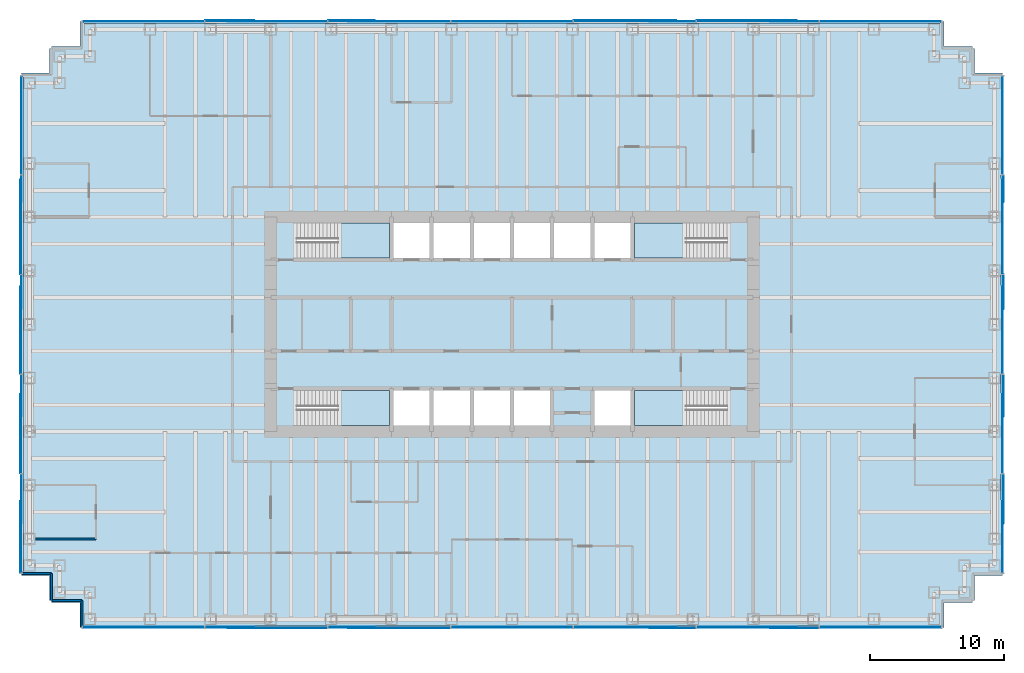
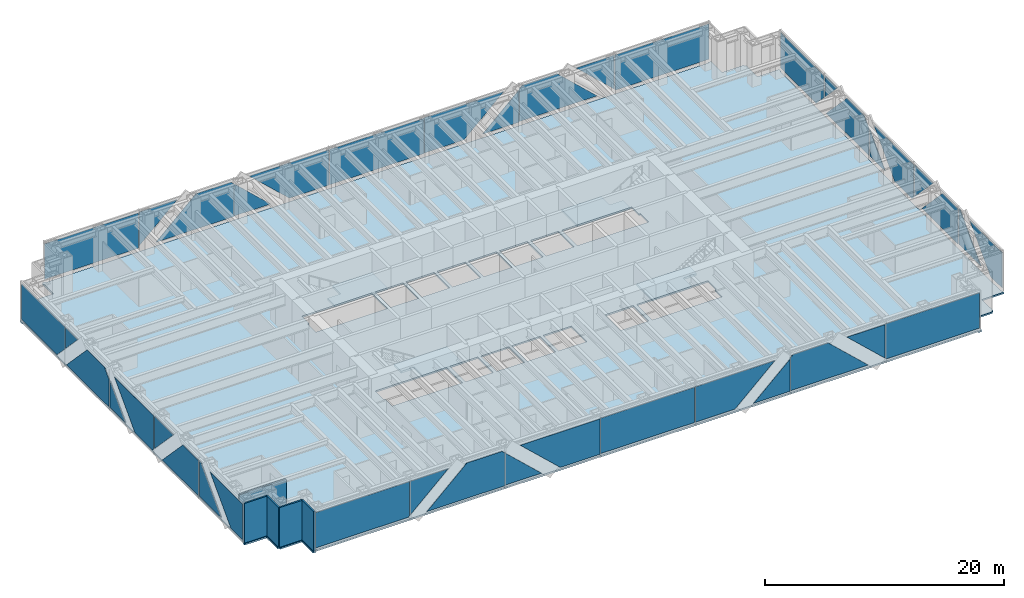
# One storey, part 10 of 15: 40 plates, 5 slabs, 5 walls, 8 elements without a shape of their own.
"""IFC4 building model written with IfcOpenShell, lengths in metres."""

from ifc_helpers import new_model, si_unit, direction, frame, frame_2d, origin, origin_2d, place, context, subcontext, project, spatial, polyline, rectangle, outline, extrude, material, layer, layer_set, type_object, element, aggregate, save


model = new_model("IFC4")

# Units and contexts
model_context = context("Model", 3, precision=1e-05, world=origin(), true_north=direction((0.0, 1.0)))
body_context = subcontext(model_context, "Body", "Model", "MODEL_VIEW")
ifc_project = project(units=[si_unit("LENGTHUNIT", "METRE"), si_unit("AREAUNIT", "SQUARE_METRE"), si_unit("VOLUMEUNIT", "CUBIC_METRE"), si_unit("PLANEANGLEUNIT", "RADIAN"), si_unit("MASSUNIT", "GRAM", prefix="KILO")], contexts=[model_context])

# Site, building, storey
site_placement = place(None, origin())
site = spatial("IfcSite", under=ifc_project, at=site_placement, CompositionType="ELEMENT")
building_placement = place(site_placement, origin())
building = spatial("IfcBuilding", under=site, at=building_placement, Name="Rheinbord Bourse Tower", CompositionType="ELEMENT")
storey_placement = place(building_placement, frame((0.0, 0.0, 163.5)))
storey = spatial("IfcBuildingStorey", under=building, at=storey_placement, Name="L36", CompositionType="ELEMENT", Elevation=163.5)

# Slab
ifc_material_1 = material(Name="Concrete C30/37", Category="concrete")
ifc_layer_1 = layer(ifc_material_1, 0.159912109375)
ifc_layer_set_1 = layer_set([ifc_layer_1], Name="COMPOSITE FLOOR SLAB 160")
slab_type_1 = type_object("IfcSlabType", Name="COMPOSITE FLOOR SLAB 160", PredefinedType="FLOOR", material=ifc_layer_set_1)
slab_1_placement = place(storey_placement, frame((0.0, 0.0, -0.159912109375)))
element("IfcSlab", 1, at=slab_1_placement, inside=storey, type_object=slab_type_1, Name="Floor slab L36", PredefinedType="FLOOR", context=body_context, shape_type="SweptSolid", body=[
    extrude(outline(polyline([(1.64990234375, 3.39990234375), (1.5, 3.39990234375), (1.5, 5.25), (-0.60009765625, 5.25), (-0.60009765625, 5.550048828125), (-0.5, 5.550048828125), (-0.5, 42.449951171875), (-0.60009765625, 42.449951171875), (-0.60009765625, 42.75), (1.5, 42.75), (1.5, 44.60009765625), (1.64990234375, 44.60009765625), (1.64990234375, 44.75), (3.75, 44.75), (3.75, 46.60009765625), (4.050048828125, 46.60009765625), (4.050048828125, 46.5), (67.949951171875, 46.5), (67.949951171875, 46.60009765625), (68.25, 46.60009765625), (68.25, 44.75), (70.35009765625, 44.75), (70.35009765625, 44.60009765625), (70.5, 44.60009765625), (70.5, 42.75), (72.60009765625, 42.75), (72.60009765625, 42.449951171875), (72.5, 42.449951171875), (72.5, 5.550048828125), (72.60009765625, 5.550048828125), (72.60009765625, 5.25), (70.5, 5.25), (70.5, 3.39990234375), (70.35009765625, 3.39990234375), (70.35009765625, 3.25), (68.25, 3.25), (68.25, 1.39990234375), (67.949951171875, 1.39990234375), (67.949951171875, 1.5), (4.050048828125, 1.5), (4.050048828125, 1.39990234375), (3.75, 1.39990234375), (3.75, 3.25), (1.64990234375, 3.25), (1.64990234375, 3.39990234375)]), holes=[polyline([(19.949951171875, 19.050048828125), (26.85009765625, 19.050048828125), (26.85009765625, 16.449951171875), (20.10009765625, 16.449951171875), (20.10009765625, 17.64990234375), (19.949951171875, 17.64990234375), (19.949951171875, 19.050048828125)]), polyline([(26.85009765625, 31.550048828125), (26.85009765625, 28.949951171875), (19.949951171875, 28.949951171875), (19.949951171875, 30.35009765625), (20.10009765625, 30.35009765625), (20.10009765625, 31.550048828125), (26.85009765625, 31.550048828125)]), polyline([(45.14990234375, 16.449951171875), (45.14990234375, 19.050048828125), (52.050048828125, 19.050048828125), (52.050048828125, 17.64990234375), (51.89990234375, 17.64990234375), (51.89990234375, 16.449951171875), (45.14990234375, 16.449951171875)]), polyline([(52.050048828125, 28.949951171875), (45.14990234375, 28.949951171875), (45.14990234375, 31.550048828125), (51.89990234375, 31.550048828125), (51.89990234375, 30.35009765625), (52.050048828125, 30.35009765625), (52.050048828125, 28.949951171875)]), polyline([(27.14990234375, 16.449951171875), (27.14990234375, 19.050048828125), (29.85009765625, 19.050048828125), (29.85009765625, 16.449951171875), (27.14990234375, 16.449951171875)]), polyline([(27.14990234375, 28.949951171875), (27.14990234375, 31.550048828125), (29.85009765625, 31.550048828125), (29.85009765625, 28.949951171875), (27.14990234375, 28.949951171875)]), polyline([(30.14990234375, 16.449951171875), (30.14990234375, 19.050048828125), (32.85009765625, 19.050048828125), (32.85009765625, 16.449951171875), (30.14990234375, 16.449951171875)]), polyline([(30.14990234375, 28.949951171875), (30.14990234375, 31.550048828125), (32.85009765625, 31.550048828125), (32.85009765625, 28.949951171875), (30.14990234375, 28.949951171875)]), polyline([(33.14990234375, 16.449951171875), (33.14990234375, 19.050048828125), (35.85009765625, 19.050048828125), (35.85009765625, 16.449951171875), (33.14990234375, 16.449951171875)]), polyline([(33.14990234375, 28.949951171875), (33.14990234375, 31.550048828125), (35.85009765625, 31.550048828125), (35.85009765625, 28.949951171875), (33.14990234375, 28.949951171875)]), polyline([(36.14990234375, 16.449951171875), (36.14990234375, 19.050048828125), (38.85009765625, 19.050048828125), (38.85009765625, 16.449951171875), (36.14990234375, 16.449951171875)]), polyline([(36.14990234375, 28.949951171875), (36.14990234375, 31.550048828125), (38.85009765625, 31.550048828125), (38.85009765625, 28.949951171875), (36.14990234375, 28.949951171875)]), polyline([(39.14990234375, 28.949951171875), (39.14990234375, 31.550048828125), (41.85009765625, 31.550048828125), (41.85009765625, 28.949951171875), (39.14990234375, 28.949951171875)]), polyline([(42.14990234375, 16.449951171875), (42.14990234375, 19.050048828125), (44.85009765625, 19.050048828125), (44.85009765625, 16.449951171875), (42.14990234375, 16.449951171875)]), polyline([(42.14990234375, 28.949951171875), (42.14990234375, 31.550048828125), (44.85009765625, 31.550048828125), (44.85009765625, 28.949951171875), (42.14990234375, 28.949951171875)])]), origin(), (0.0, 0.0, 1.0), 0.159912109375),
])

# Curtain wall, plates
ifc_material_2 = material(Name="Dark glass and black aluminium", Category="aluminium")
curtain_wall_type = type_object("IfcCurtainWallType", Name="CW2 DARK GLASS CURTAIN WALL", PredefinedType="USERDEFINED", material=ifc_material_2)
curtain_wall_1_placement = place(storey_placement, origin())
curtain_wall_1 = element("IfcCurtainWall", 2, at=curtain_wall_1_placement, inside=storey, type_object=curtain_wall_type, Name="Curtain wall CW2 S L36", ObjectType="UNITISED CURTAIN WALL", PredefinedType="USERDEFINED")
ifc_material_3 = material(Name="Dark tinted triple insulating glass", Category="glass")
ifc_layer_2 = layer(ifc_material_3, 0.050048828125)
ifc_layer_set_2 = layer_set([ifc_layer_2], Name="CW2 DARK GLASS PANEL")
plate_type = type_object("IfcPlateType", Name="CW2 DARK GLASS PANEL", PredefinedType="CURTAIN_PANEL", material=ifc_layer_set_2)
plate_1_placement = place(storey_placement, frame((36.0, 1.39990234375, 0.300048828125), z_axis=(0.0, 0.0, 1.0), x_axis=(1.0, 0.0, 0.0)))
plate_1 = element("IfcPlate", 3, at=plate_1_placement, type_object=plate_type, Name="CW2 panel 4.1", PredefinedType="CURTAIN_PANEL", context=body_context, shape_type="SweptSolid", body=[
    extrude(rectangle(XDim=9.101318359375, YDim=0.050048828125, at=origin_2d()), origin(), (0.0, 0.0, 1.0), 3.60009765625),
])
plate_2_placement = place(storey_placement, frame((3.969970703125, 1.375, 0.300048828125), z_axis=(0.0, 1.0, 0.0), x_axis=(0.0, 0.0, 1.0)))
plate_2 = element("IfcPlate", 4, at=plate_2_placement, type_object=plate_type, Name="CW2 glass facet 1", PredefinedType="CURTAIN_PANEL", context=body_context, shape_type="SweptSolid", body=[
    extrude(outline(polyline([(0.0, 0.0), (3.599853515625, 0.0), (3.599853515625, 9.06591796875), (0.094970703125, 9.06591796875), (0.0, 8.965087890625), (0.0, 0.0)])), origin(), (0.0, 0.0, 1.0), 0.050048828125),
])
plate_3_placement = place(storey_placement, frame((13.10595703125, 1.375, 3.89990234375), z_axis=(0.0, 1.0, 0.0), x_axis=(1.0, 0.0, 0.0)))
plate_3 = element("IfcPlate", 5, at=plate_3_placement, type_object=plate_type, Name="CW2 glass facet 1", PredefinedType="CURTAIN_PANEL", context=body_context, shape_type="SweptSolid", body=[
    extrude(outline(polyline([(0.0, 0.0), (3.68603515625, 0.0), (0.0, 3.43994140625), (0.0, 0.0)])), origin(), (0.0, 0.0, 1.0), 0.050048828125),
])
plate_4_placement = place(storey_placement, frame((22.2080078125, 1.31982421875, 0.300048828125), z_axis=(0.0, 1.0, 0.0), x_axis=(-1.0, 0.0, 0.0)))
plate_4 = element("IfcPlate", 6, at=plate_4_placement, type_object=plate_type, Name="CW2 glass facet 2", PredefinedType="CURTAIN_PANEL", context=body_context, shape_type="SweptSolid", body=[
    extrude(outline(polyline([(0.0, 0.0), (7.5, 0.0), (3.64306640625, 3.599853515625), (0.27294921875, 3.599853515625), (0.0, 3.344970703125), (0.0, 0.0)])), origin(), (0.0, 0.0, 1.0), 0.050048828125),
])
plate_5_placement = place(storey_placement, frame((22.278076171875, 1.375, 0.300048828125), z_axis=(0.0, 1.0, 0.0), x_axis=(0.0, 0.0, 1.0)))
plate_5 = element("IfcPlate", 7, at=plate_5_placement, type_object=plate_type, Name="CW2 glass facet 1", PredefinedType="CURTAIN_PANEL", context=body_context, shape_type="SweptSolid", body=[
    extrude(outline(polyline([(0.0, 0.0), (3.280029296875, 0.0), (0.0, 3.513916015625), (0.0, 0.0)])), origin(), (0.0, 0.0, 1.0), 0.050048828125),
])
plate_6_placement = place(storey_placement, frame((31.37890625, 1.31982421875, 3.89990234375), z_axis=(0.0, 1.0, 0.0), x_axis=(0.0, 0.0, -1.0)))
plate_6 = element("IfcPlate", 8, at=plate_6_placement, type_object=plate_type, Name="CW2 glass facet 2", PredefinedType="CURTAIN_PANEL", context=body_context, shape_type="SweptSolid", body=[
    extrude(outline(polyline([(0.0, 0.0), (3.599853515625, 0.0), (3.599853515625, 3.81396484375), (0.0, 7.6708984375), (0.0, 0.0)])), origin(), (0.0, 0.0, 1.0), 0.050048828125),
])
plate_7_placement = place(storey_placement, frame((40.62109375, 1.375, 0.300048828125), z_axis=(0.0, 1.0, 0.0), x_axis=(0.0, 0.0, 1.0)))
plate_7 = element("IfcPlate", 9, at=plate_7_placement, type_object=plate_type, Name="CW2 glass facet 1", PredefinedType="CURTAIN_PANEL", context=body_context, shape_type="SweptSolid", body=[
    extrude(outline(polyline([(0.0, 0.0), (3.599853515625, 0.0), (3.599853515625, 7.6708984375), (0.0, 3.81396484375), (0.0, 0.0)])), origin(), (0.0, 0.0, 1.0), 0.050048828125),
])
plate_8_placement = place(storey_placement, frame((49.721923828125, 1.31982421875, 0.300048828125), z_axis=(0.0, 1.0, 0.0), x_axis=(-1.0, 0.0, 0.0)))
plate_8 = element("IfcPlate", 10, at=plate_8_placement, type_object=plate_type, Name="CW2 glass facet 2", PredefinedType="CURTAIN_PANEL", context=body_context, shape_type="SweptSolid", body=[
    extrude(outline(polyline([(0.0, 0.0), (3.513916015625, 0.0), (0.0, 3.280029296875), (0.0, 0.0)])), origin(), (0.0, 0.0, 1.0), 0.050048828125),
])
plate_9_placement = place(storey_placement, frame((49.7919921875, 1.375, 0.300048828125), z_axis=(0.0, 1.0, 0.0), x_axis=(0.0, 0.0, 1.0)))
plate_9 = element("IfcPlate", 11, at=plate_9_placement, type_object=plate_type, Name="CW2 glass facet 1", PredefinedType="CURTAIN_PANEL", context=body_context, shape_type="SweptSolid", body=[
    extrude(outline(polyline([(0.0, 0.0), (3.344970703125, 0.0), (3.599853515625, 0.27294921875), (3.599853515625, 3.64306640625), (0.0, 7.5), (0.0, 0.0)])), origin(), (0.0, 0.0, 1.0), 0.050048828125),
])
plate_10_placement = place(storey_placement, frame((58.89404296875, 1.31982421875, 3.89990234375), z_axis=(0.0, 1.0, 0.0), x_axis=(0.0, 0.0, -1.0)))
plate_10 = element("IfcPlate", 12, at=plate_10_placement, type_object=plate_type, Name="CW2 glass facet 2", PredefinedType="CURTAIN_PANEL", context=body_context, shape_type="SweptSolid", body=[
    extrude(outline(polyline([(0.0, 0.0), (3.43994140625, 0.0), (0.0, 3.68603515625), (0.0, 0.0)])), origin(), (0.0, 0.0, 1.0), 0.050048828125),
])
plate_11_placement = place(storey_placement, frame((58.964111328125, 1.375, 3.89990234375), z_axis=(0.0, 1.0, 0.0), x_axis=(1.0, 0.0, 0.0)))
plate_11 = element("IfcPlate", 13, at=plate_11_placement, type_object=plate_type, Name="CW2 glass facet 1", PredefinedType="CURTAIN_PANEL", context=body_context, shape_type="SweptSolid", body=[
    extrude(outline(polyline([(0.0, 0.0), (9.06591796875, 0.0), (9.06591796875, 3.599853515625), (0.100830078125, 3.599853515625), (0.0, 3.5048828125), (0.0, 0.0)])), origin(), (0.0, 0.0, 1.0), 0.050048828125),
])
aggregate(curtain_wall_1, [plate_1, plate_2, plate_3, plate_4, plate_5, plate_6, plate_7, plate_8, plate_9, plate_10, plate_11])

curtain_wall_2_placement = place(storey_placement, origin())
curtain_wall_2 = element("IfcCurtainWall", 14, at=curtain_wall_2_placement, inside=storey, type_object=curtain_wall_type, Name="Curtain wall CW2 E L36", ObjectType="UNITISED CURTAIN WALL", PredefinedType="USERDEFINED")
plate_12_placement = place(storey_placement, frame((72.625, 5.469970703125, 0.300048828125), z_axis=(-1.0, 0.0, 0.0), x_axis=(0.0, 0.0, 1.0)))
plate_12 = element("IfcPlate", 15, at=plate_12_placement, type_object=plate_type, Name="CW2 glass facet 1", PredefinedType="CURTAIN_PANEL", context=body_context, shape_type="SweptSolid", body=[
    extrude(outline(polyline([(0.0, 0.0), (3.599853515625, 0.0), (3.599853515625, 5.408935546875), (0.0, 1.97998046875), (0.0, 0.0)])), origin(), (0.0, 0.0, 1.0), 0.050048828125),
])
plate_13_placement = place(storey_placement, frame((72.68017578125, 12.804931640625, 3.89990234375), z_axis=(-1.0, 0.0, 0.0), x_axis=(0.0, 0.0, -1.0)))
plate_13 = element("IfcPlate", 16, at=plate_13_placement, type_object=plate_type, Name="CW2 glass facet 2", PredefinedType="CURTAIN_PANEL", context=body_context, shape_type="SweptSolid", body=[
    extrude(outline(polyline([(0.0, 0.0), (3.599853515625, 0.0), (3.599853515625, 3.683837890625), (0.0, 0.2548828125), (0.0, 0.0)])), origin(), (0.0, 0.0, 1.0), 0.050048828125),
])
plate_14_placement = place(storey_placement, frame((72.625, 12.875, 0.300048828125), z_axis=(-1.0, 0.0, 0.0), x_axis=(0.0, 0.0, 1.0)))
plate_14 = element("IfcPlate", 17, at=plate_14_placement, type_object=plate_type, Name="CW2 glass facet 1", PredefinedType="CURTAIN_PANEL", context=body_context, shape_type="SweptSolid", body=[
    extrude(outline(polyline([(0.0, 0.0), (3.599853515625, 0.0), (3.599853515625, 2.574951171875), (0.0, 6.00390625), (0.0, 0.0)])), origin(), (0.0, 0.0, 1.0), 0.050048828125),
])
plate_15_placement = place(storey_placement, frame((72.68017578125, 20.2451171875, 3.89990234375), z_axis=(-1.0, 0.0, 0.0), x_axis=(0.0, 0.0, -1.0)))
plate_15 = element("IfcPlate", 18, at=plate_15_placement, type_object=plate_type, Name="CW2 glass facet 2", PredefinedType="CURTAIN_PANEL", context=body_context, shape_type="SweptSolid", body=[
    extrude(outline(polyline([(0.0, 0.0), (3.27978515625, 0.0), (0.0, 3.1240234375), (0.0, 0.0)])), origin(), (0.0, 0.0, 1.0), 0.050048828125),
])
plate_16_placement = place(storey_placement, frame((72.625, 20.550048828125, 0.300048828125), z_axis=(-1.0, 0.0, 0.0), x_axis=(0.0, -0.689351242624, 0.724427266392)))
plate_16 = element("IfcPlate", 19, at=plate_16_placement, type_object=plate_type, Name="CW2 glass facet 1", PredefinedType="CURTAIN_PANEL", context=body_context, shape_type="SweptSolid", body=[
    extrude(outline(polyline([(0.0, 0.0), (0.341064453125, 0.0), (2.77001953125, 2.311279296875), (-1.7548828125, 7.06640625), (-1.9990234375, 2.100830078125), (0.0, 0.0)])), origin(), (0.0, 0.0, 1.0), 0.050048828125),
])
plate_17_placement = place(storey_placement, frame((72.68017578125, 27.68505859375, 0.300048828125), z_axis=(-1.0, 0.0, 0.0), x_axis=(0.0, -1.0, 0.0)))
plate_17 = element("IfcPlate", 20, at=plate_17_placement, type_object=plate_type, Name="CW2 glass facet 2", PredefinedType="CURTAIN_PANEL", context=body_context, shape_type="SweptSolid", body=[
    extrude(outline(polyline([(0.0, 0.0), (2.56396484375, 0.0), (0.0, 2.69189453125), (0.0, 0.0)])), origin(), (0.0, 0.0, 1.0), 0.050048828125),
])
plate_18_placement = place(storey_placement, frame((72.625, 27.7548828125, 0.300048828125), z_axis=(-1.0, 0.0, 0.0), x_axis=(0.0, 0.0, 1.0)))
plate_18 = element("IfcPlate", 21, at=plate_18_placement, type_object=plate_type, Name="CW2 glass facet 1", PredefinedType="CURTAIN_PANEL", context=body_context, shape_type="SweptSolid", body=[
    extrude(outline(polyline([(0.0, 0.0), (2.764892578125, 0.0), (3.599853515625, 0.795166015625), (3.599853515625, 3.695068359375), (0.0, 7.1240234375), (0.0, 0.0)])), origin(), (0.0, 0.0, 1.0), 0.050048828125),
])
plate_19_placement = place(storey_placement, frame((72.68017578125, 35.125, 3.89990234375), z_axis=(-1.0, 0.0, 0.0), x_axis=(0.0, 0.0, -1.0)))
plate_19 = element("IfcPlate", 22, at=plate_19_placement, type_object=plate_type, Name="CW2 glass facet 2", PredefinedType="CURTAIN_PANEL", context=body_context, shape_type="SweptSolid", body=[
    extrude(outline(polyline([(0.0, 0.0), (2.10400390625, 0.0), (0.0, 2.00390625), (0.0, 0.0)])), origin(), (0.0, 0.0, 1.0), 0.050048828125),
])
plate_20_placement = place(storey_placement, frame((72.625, 35.195068359375, 3.89990234375), z_axis=(-1.0, 0.0, 0.0), x_axis=(0.0, 1.0, 0.0)))
plate_20 = element("IfcPlate", 23, at=plate_20_placement, type_object=plate_type, Name="CW2 glass facet 1", PredefinedType="CURTAIN_PANEL", context=body_context, shape_type="SweptSolid", body=[
    extrude(outline(polyline([(0.0, 0.0), (7.3349609375, 0.0), (7.3349609375, 3.599853515625), (1.35498046875, 3.599853515625), (0.0, 2.177978515625), (0.0, 0.0)])), origin(), (0.0, 0.0, 1.0), 0.050048828125),
])
aggregate(curtain_wall_2, [plate_12, plate_13, plate_14, plate_15, plate_16, plate_17, plate_18, plate_19, plate_20])

curtain_wall_3_placement = place(storey_placement, origin())
curtain_wall_3 = element("IfcCurtainWall", 24, at=curtain_wall_3_placement, inside=storey, type_object=curtain_wall_type, Name="Curtain wall CW2 N L36", ObjectType="UNITISED CURTAIN WALL", PredefinedType="USERDEFINED")
plate_21_placement = place(storey_placement, frame((36.0, 46.60009765625, 0.300048828125), z_axis=(0.0, 0.0, 1.0), x_axis=(-1.0, 0.0, 0.0)))
plate_21 = element("IfcPlate", 25, at=plate_21_placement, type_object=plate_type, Name="CW2 panel 4.1", PredefinedType="CURTAIN_PANEL", context=body_context, shape_type="SweptSolid", body=[
    extrude(rectangle(XDim=9.101318359375, YDim=0.050048828125, at=origin_2d()), origin(), (0.0, 0.0, 1.0), 3.60009765625),
])
plate_22_placement = place(storey_placement, frame((68.030029296875, 46.625, 0.300048828125), z_axis=(0.0, -1.0, 0.0), x_axis=(0.0, 0.0, 1.0)))
plate_22 = element("IfcPlate", 26, at=plate_22_placement, type_object=plate_type, Name="CW2 glass facet 1", PredefinedType="CURTAIN_PANEL", context=body_context, shape_type="SweptSolid", body=[
    extrude(outline(polyline([(0.0, 0.0), (3.599853515625, 0.0), (3.599853515625, 9.06591796875), (0.094970703125, 9.06591796875), (0.0, 8.965087890625), (0.0, 0.0)])), origin(), (0.0, 0.0, 1.0), 0.050048828125),
])
plate_23_placement = place(storey_placement, frame((58.89404296875, 46.625, 3.89990234375), z_axis=(0.0, -1.0, 0.0), x_axis=(-1.0, 0.0, 0.0)))
plate_23 = element("IfcPlate", 27, at=plate_23_placement, type_object=plate_type, Name="CW2 glass facet 1", PredefinedType="CURTAIN_PANEL", context=body_context, shape_type="SweptSolid", body=[
    extrude(outline(polyline([(0.0, 0.0), (3.68603515625, 0.0), (0.0, 3.43994140625), (0.0, 0.0)])), origin(), (0.0, 0.0, 1.0), 0.050048828125),
])
plate_24_placement = place(storey_placement, frame((49.7919921875, 46.68017578125, 0.300048828125), z_axis=(0.0, -1.0, 0.0), x_axis=(1.0, 0.0, 0.0)))
plate_24 = element("IfcPlate", 28, at=plate_24_placement, type_object=plate_type, Name="CW2 glass facet 2", PredefinedType="CURTAIN_PANEL", context=body_context, shape_type="SweptSolid", body=[
    extrude(outline(polyline([(0.0, 0.0), (7.5, 0.0), (3.64306640625, 3.599853515625), (0.27294921875, 3.599853515625), (0.0, 3.344970703125), (0.0, 0.0)])), origin(), (0.0, 0.0, 1.0), 0.050048828125),
])
plate_25_placement = place(storey_placement, frame((49.721923828125, 46.625, 0.300048828125), z_axis=(0.0, -1.0, 0.0), x_axis=(0.0, 0.0, 1.0)))
plate_25 = element("IfcPlate", 29, at=plate_25_placement, type_object=plate_type, Name="CW2 glass facet 1", PredefinedType="CURTAIN_PANEL", context=body_context, shape_type="SweptSolid", body=[
    extrude(outline(polyline([(0.0, 0.0), (3.280029296875, 0.0), (0.0, 3.513916015625), (0.0, 0.0)])), origin(), (0.0, 0.0, 1.0), 0.050048828125),
])
plate_26_placement = place(storey_placement, frame((40.62109375, 46.68017578125, 3.89990234375), z_axis=(0.0, -1.0, 0.0), x_axis=(0.0, 0.0, -1.0)))
plate_26 = element("IfcPlate", 30, at=plate_26_placement, type_object=plate_type, Name="CW2 glass facet 2", PredefinedType="CURTAIN_PANEL", context=body_context, shape_type="SweptSolid", body=[
    extrude(outline(polyline([(0.0, 0.0), (3.599853515625, 0.0), (3.599853515625, 3.81396484375), (0.0, 7.6708984375), (0.0, 0.0)])), origin(), (0.0, 0.0, 1.0), 0.050048828125),
])
plate_27_placement = place(storey_placement, frame((31.37890625, 46.625, 0.300048828125), z_axis=(0.0, -1.0, 0.0), x_axis=(0.0, 0.0, 1.0)))
plate_27 = element("IfcPlate", 31, at=plate_27_placement, type_object=plate_type, Name="CW2 glass facet 1", PredefinedType="CURTAIN_PANEL", context=body_context, shape_type="SweptSolid", body=[
    extrude(outline(polyline([(0.0, 0.0), (3.599853515625, 0.0), (3.599853515625, 7.6708984375), (0.0, 3.81396484375), (0.0, 0.0)])), origin(), (0.0, 0.0, 1.0), 0.050048828125),
])
plate_28_placement = place(storey_placement, frame((22.278076171875, 46.68017578125, 0.300048828125), z_axis=(0.0, -1.0, 0.0), x_axis=(1.0, 0.0, 0.0)))
plate_28 = element("IfcPlate", 32, at=plate_28_placement, type_object=plate_type, Name="CW2 glass facet 2", PredefinedType="CURTAIN_PANEL", context=body_context, shape_type="SweptSolid", body=[
    extrude(outline(polyline([(0.0, 0.0), (3.513916015625, 0.0), (0.0, 3.280029296875), (0.0, 0.0)])), origin(), (0.0, 0.0, 1.0), 0.050048828125),
])
plate_29_placement = place(storey_placement, frame((22.2080078125, 46.625, 0.300048828125), z_axis=(0.0, -1.0, 0.0), x_axis=(0.0, 0.0, 1.0)))
plate_29 = element("IfcPlate", 33, at=plate_29_placement, type_object=plate_type, Name="CW2 glass facet 1", PredefinedType="CURTAIN_PANEL", context=body_context, shape_type="SweptSolid", body=[
    extrude(outline(polyline([(0.0, 0.0), (3.344970703125, 0.0), (3.599853515625, 0.27294921875), (3.599853515625, 3.64306640625), (0.0, 7.5), (0.0, 0.0)])), origin(), (0.0, 0.0, 1.0), 0.050048828125),
])
plate_30_placement = place(storey_placement, frame((13.10595703125, 46.68017578125, 3.89990234375), z_axis=(0.0, -1.0, 0.0), x_axis=(0.0, 0.0, -1.0)))
plate_30 = element("IfcPlate", 34, at=plate_30_placement, type_object=plate_type, Name="CW2 glass facet 2", PredefinedType="CURTAIN_PANEL", context=body_context, shape_type="SweptSolid", body=[
    extrude(outline(polyline([(0.0, 0.0), (3.43994140625, 0.0), (0.0, 3.68603515625), (0.0, 0.0)])), origin(), (0.0, 0.0, 1.0), 0.050048828125),
])
plate_31_placement = place(storey_placement, frame((13.035888671875, 46.625, 3.89990234375), z_axis=(0.0, -1.0, 0.0), x_axis=(-1.0, 0.0, 0.0)))
plate_31 = element("IfcPlate", 35, at=plate_31_placement, type_object=plate_type, Name="CW2 glass facet 1", PredefinedType="CURTAIN_PANEL", context=body_context, shape_type="SweptSolid", body=[
    extrude(outline(polyline([(0.0, 0.0), (9.06591796875, 0.0), (9.06591796875, 3.599853515625), (0.100830078125, 3.599853515625), (0.0, 3.5048828125), (0.0, 0.0)])), origin(), (0.0, 0.0, 1.0), 0.050048828125),
])
aggregate(curtain_wall_3, [plate_21, plate_22, plate_23, plate_24, plate_25, plate_26, plate_27, plate_28, plate_29, plate_30, plate_31])

curtain_wall_4_placement = place(storey_placement, origin())
curtain_wall_4 = element("IfcCurtainWall", 36, at=curtain_wall_4_placement, inside=storey, type_object=curtain_wall_type, Name="Curtain wall CW2 W L36", ObjectType="UNITISED CURTAIN WALL", PredefinedType="USERDEFINED")
plate_32_placement = place(storey_placement, frame((-0.625, 42.530029296875, 0.300048828125), z_axis=(1.0, 0.0, 0.0), x_axis=(0.0, 0.0, 1.0)))
plate_32 = element("IfcPlate", 37, at=plate_32_placement, type_object=plate_type, Name="CW2 glass facet 1", PredefinedType="CURTAIN_PANEL", context=body_context, shape_type="SweptSolid", body=[
    extrude(outline(polyline([(0.0, 0.0), (3.599853515625, 0.0), (3.599853515625, 7.3349609375), (1.421875, 7.3349609375), (0.0, 5.97998046875), (0.0, 0.0)])), origin(), (0.0, 0.0, 1.0), 0.050048828125),
])
plate_33_placement = place(storey_placement, frame((-0.625, 35.125, 3.89990234375), z_axis=(1.0, 0.0, 0.0), x_axis=(0.0, -1.0, 0.0)))
plate_33 = element("IfcPlate", 38, at=plate_33_placement, type_object=plate_type, Name="CW2 glass facet 1", PredefinedType="CURTAIN_PANEL", context=body_context, shape_type="SweptSolid", body=[
    extrude(outline(polyline([(0.0, 0.0), (2.00390625, 0.0), (0.0, 2.10400390625), (0.0, 0.0)])), origin(), (0.0, 0.0, 1.0), 0.050048828125),
])
plate_34_placement = place(storey_placement, frame((-0.68017578125, 27.7548828125, 0.300048828125), z_axis=(1.0, 0.0, 0.0), x_axis=(0.0, 1.0, 0.0)))
plate_34 = element("IfcPlate", 39, at=plate_34_placement, type_object=plate_type, Name="CW2 glass facet 2", PredefinedType="CURTAIN_PANEL", context=body_context, shape_type="SweptSolid", body=[
    extrude(outline(polyline([(0.0, 0.0), (7.1240234375, 0.0), (3.695068359375, 3.599853515625), (0.795166015625, 3.599853515625), (0.0, 2.764892578125), (0.0, 0.0)])), origin(), (0.0, 0.0, 1.0), 0.050048828125),
])
plate_35_placement = place(storey_placement, frame((-0.625, 27.68505859375, 0.300048828125), z_axis=(1.0, 0.0, 0.0), x_axis=(0.0, 0.0, 1.0)))
plate_35 = element("IfcPlate", 40, at=plate_35_placement, type_object=plate_type, Name="CW2 glass facet 1", PredefinedType="CURTAIN_PANEL", context=body_context, shape_type="SweptSolid", body=[
    extrude(outline(polyline([(0.0, 0.0), (2.69189453125, 0.0), (0.0, 2.56396484375), (0.0, 0.0)])), origin(), (0.0, 0.0, 1.0), 0.050048828125),
])
plate_36_placement = place(storey_placement, frame((-0.68017578125, 23.449951171875, 0.300048828125), z_axis=(1.0, 0.0, 0.0), x_axis=(0.0, 0.689710350299, 0.724085376658)))
plate_36 = element("IfcPlate", 41, at=plate_36_placement, type_object=plate_type, Name="CW2 glass facet 2", PredefinedType="CURTAIN_PANEL", context=body_context, shape_type="SweptSolid", body=[
    extrude(outline(polyline([(0.0, 0.0), (4.9716796875, 0.0), (0.4443359375, 4.7529296875), (-1.9833984375, 2.4404296875), (-2.0, 2.099853515625), (0.0, 0.0)])), origin(), (0.0, 0.0, 1.0), 0.050048828125),
])
plate_37_placement = place(storey_placement, frame((-0.625, 20.2451171875, 3.89990234375), z_axis=(1.0, 0.0, 0.0), x_axis=(0.0, -1.0, 0.0)))
plate_37 = element("IfcPlate", 42, at=plate_37_placement, type_object=plate_type, Name="CW2 glass facet 1", PredefinedType="CURTAIN_PANEL", context=body_context, shape_type="SweptSolid", body=[
    extrude(outline(polyline([(0.0, 0.0), (3.1240234375, 0.0), (0.0, 3.27978515625), (0.0, 0.0)])), origin(), (0.0, 0.0, 1.0), 0.050048828125),
])
plate_38_placement = place(storey_placement, frame((-0.68017578125, 12.875, 3.89990234375), z_axis=(1.0, 0.0, 0.0), x_axis=(0.0, 0.0, -1.0)))
plate_38 = element("IfcPlate", 43, at=plate_38_placement, type_object=plate_type, Name="CW2 glass facet 2", PredefinedType="CURTAIN_PANEL", context=body_context, shape_type="SweptSolid", body=[
    extrude(outline(polyline([(0.0, 0.0), (3.599853515625, 0.0), (3.599853515625, 6.00390625), (0.0, 2.574951171875), (0.0, 0.0)])), origin(), (0.0, 0.0, 1.0), 0.050048828125),
])
plate_39_placement = place(storey_placement, frame((-0.625, 12.804931640625, 0.300048828125), z_axis=(1.0, 0.0, 0.0), x_axis=(0.0, 0.0, 1.0)))
plate_39 = element("IfcPlate", 44, at=plate_39_placement, type_object=plate_type, Name="CW2 glass facet 1", PredefinedType="CURTAIN_PANEL", context=body_context, shape_type="SweptSolid", body=[
    extrude(outline(polyline([(0.0, 0.0), (3.599853515625, 0.0), (3.599853515625, 0.2548828125), (0.0, 3.683837890625), (0.0, 0.0)])), origin(), (0.0, 0.0, 1.0), 0.050048828125),
])
plate_40_placement = place(storey_placement, frame((-0.68017578125, 5.469970703125, 3.89990234375), z_axis=(1.0, 0.0, 0.0), x_axis=(0.0, 0.0, -1.0)))
plate_40 = element("IfcPlate", 45, at=plate_40_placement, type_object=plate_type, Name="CW2 glass facet 2", PredefinedType="CURTAIN_PANEL", context=body_context, shape_type="SweptSolid", body=[
    extrude(outline(polyline([(0.0, 0.0), (3.599853515625, 0.0), (3.599853515625, 1.97998046875), (0.0, 5.408935546875), (0.0, 0.0)])), origin(), (0.0, 0.0, 1.0), 0.050048828125),
])
aggregate(curtain_wall_4, [plate_32, plate_33, plate_34, plate_35, plate_36, plate_37, plate_38, plate_39, plate_40])

# Stair, slab
ifc_material_4 = material(Name="Concrete C30/37", Category="concrete")
stair_type = type_object("IfcStairType", Name="CORE STAIR HALF TURN 4200", PredefinedType="HALF_TURN_STAIR", material=ifc_material_4)
stair_1_placement = place(storey_placement, origin())
stair_1 = element("IfcStair", 46, at=stair_1_placement, inside=storey, type_object=stair_type, Name="Stair ST1 L36, type CS6", PredefinedType="HALF_TURN_STAIR")
ifc_material_5 = material(Name="Concrete C30/37", Category="concrete")
ifc_layer_3 = layer(ifc_material_5, 0.199951171875)
ifc_layer_set_3 = layer_set([ifc_layer_3], Name="STAIR LANDING 200")
slab_type_2 = type_object("IfcSlabType", Name="STAIR LANDING 200", PredefinedType="LANDING", material=ifc_layer_set_3)
slab_2_placement = place(storey_placement, frame((0.0, 0.0, 1.89990234375)))
slab_2 = element("IfcSlab", 47, at=slab_2_placement, type_object=slab_type_2, Name="Half landing ST1 L36", PredefinedType="LANDING", context=body_context, shape_type="SweptSolid", body=[
    extrude(outline(polyline([(23.030029296875, 16.449951171875), (26.85009765625, 16.449951171875), (26.85009765625, 19.050048828125), (21.748046875, 19.050048828125), (21.748046875, 17.85009765625), (23.030029296875, 17.85009765625), (23.030029296875, 16.449951171875)])), origin(), (0.0, 0.0, 1.0), 0.2001953125),
])
aggregate(stair_1, [slab_2])

stair_2_placement = place(storey_placement, origin())
stair_2 = element("IfcStair", 48, at=stair_2_placement, inside=storey, type_object=stair_type, Name="Stair ST2 L36, type CS6", PredefinedType="HALF_TURN_STAIR")
slab_3_placement = place(storey_placement, frame((0.0, 0.0, 1.89990234375)))
slab_3 = element("IfcSlab", 49, at=slab_3_placement, type_object=slab_type_2, Name="Half landing ST2 L36", PredefinedType="LANDING", context=body_context, shape_type="SweptSolid", body=[
    extrude(outline(polyline([(21.748046875, 28.949951171875), (26.85009765625, 28.949951171875), (26.85009765625, 31.550048828125), (23.030029296875, 31.550048828125), (23.030029296875, 30.14990234375), (21.748046875, 30.14990234375), (21.748046875, 28.949951171875)])), origin(), (0.0, 0.0, 1.0), 0.2001953125),
])
aggregate(stair_2, [slab_3])

stair_3_placement = place(storey_placement, origin())
stair_3 = element("IfcStair", 50, at=stair_3_placement, inside=storey, type_object=stair_type, Name="Stair ST3 L36, type CS6", PredefinedType="HALF_TURN_STAIR")
slab_4_placement = place(storey_placement, frame((0.0, 0.0, 1.89990234375)))
slab_4 = element("IfcSlab", 51, at=slab_4_placement, type_object=slab_type_2, Name="Half landing ST3 L36", PredefinedType="LANDING", context=body_context, shape_type="SweptSolid", body=[
    extrude(outline(polyline([(45.14990234375, 16.449951171875), (48.969970703125, 16.449951171875), (48.969970703125, 17.85009765625), (50.251953125, 17.85009765625), (50.251953125, 19.050048828125), (45.14990234375, 19.050048828125), (45.14990234375, 16.449951171875)])), origin(), (0.0, 0.0, 1.0), 0.2001953125),
])
aggregate(stair_3, [slab_4])

stair_4_placement = place(storey_placement, origin())
stair_4 = element("IfcStair", 52, at=stair_4_placement, inside=storey, type_object=stair_type, Name="Stair ST4 L36, type CS6", PredefinedType="HALF_TURN_STAIR")
slab_5_placement = place(storey_placement, frame((0.0, 0.0, 1.89990234375)))
slab_5 = element("IfcSlab", 53, at=slab_5_placement, type_object=slab_type_2, Name="Half landing ST4 L36", PredefinedType="LANDING", context=body_context, shape_type="SweptSolid", body=[
    extrude(outline(polyline([(45.14990234375, 28.949951171875), (50.251953125, 28.949951171875), (50.251953125, 30.14990234375), (48.969970703125, 30.14990234375), (48.969970703125, 31.550048828125), (45.14990234375, 31.550048828125), (45.14990234375, 28.949951171875)])), origin(), (0.0, 0.0, 1.0), 0.2001953125),
])
aggregate(stair_4, [slab_5])

# Walls
ifc_material_6 = material(Name="Black metal rainscreen panel", Category="aluminium")
ifc_layer_4 = layer(ifc_material_6, 0.14990234375)
ifc_layer_set_4 = layer_set([ifc_layer_4], Name="CORNER PIER CLADDING 150")
wall_type_1 = type_object("IfcWallType", Name="CORNER PIER CLADDING 150", PredefinedType="ELEMENTEDWALL", material=ifc_layer_set_4)
wall_1_placement = place(storey_placement, frame((-0.60009765625, 5.39990234375, 0.0), z_axis=(0.0, 0.0, 1.0), x_axis=(1.0, 0.0, 0.0)))
element("IfcWall", 54, at=wall_1_placement, inside=storey, type_object=wall_type_1, Name="Corner pier cladding L36 17", PredefinedType="ELEMENTEDWALL", context=body_context, shape_type="SweptSolid", body=[
    extrude(rectangle(XDim=2.25, YDim=0.14990234375, at=frame_2d((1.125, 0.0))), origin(), (0.0, 0.0, 1.0), 4.0400390625),
])
wall_2_placement = place(storey_placement, frame((1.64990234375, 5.39990234375, 0.0), z_axis=(0.0, 0.0, 1.0), x_axis=(0.0, -1.0, 0.0)))
element("IfcWall", 55, at=wall_2_placement, inside=storey, type_object=wall_type_1, Name="Corner pier cladding L36 18", PredefinedType="ELEMENTEDWALL", context=body_context, shape_type="SweptSolid", body=[
    extrude(rectangle(XDim=2.0, YDim=0.14990234375, at=frame_2d((1.0, 0.0))), origin(), (0.0, 0.0, 1.0), 4.0400390625),
])
wall_3_placement = place(storey_placement, frame((1.64990234375, 3.39990234375, 0.0), z_axis=(0.0, 0.0, 1.0), x_axis=(1.0, 0.0, 0.0)))
element("IfcWall", 56, at=wall_3_placement, inside=storey, type_object=wall_type_1, Name="Corner pier cladding L36 19", PredefinedType="ELEMENTEDWALL", context=body_context, shape_type="SweptSolid", body=[
    extrude(rectangle(XDim=2.25, YDim=0.14990234375, at=frame_2d((1.125, 0.0))), origin(), (0.0, 0.0, 1.0), 4.0400390625),
])
wall_4_placement = place(storey_placement, frame((3.89990234375, 3.39990234375, 0.0), z_axis=(0.0, 0.0, 1.0), x_axis=(0.0, -1.0, 0.0)))
element("IfcWall", 57, at=wall_4_placement, inside=storey, type_object=wall_type_1, Name="Corner pier cladding L36 20", PredefinedType="ELEMENTEDWALL", context=body_context, shape_type="SweptSolid", body=[
    extrude(rectangle(XDim=2.0, YDim=0.14990234375, at=frame_2d((1.0, 0.0))), origin(), (0.0, 0.0, 1.0), 4.0400390625),
])
ifc_material_7 = material(Name="Gypsum board fire partition", Category="gypsum board")
ifc_layer_5 = layer(ifc_material_7, 0.14990234375)
ifc_layer_set_5 = layer_set([ifc_layer_5], Name="FIRE PARTITION 150 EI60")
wall_type_2 = type_object("IfcWallType", Name="FIRE PARTITION 150 EI60", PredefinedType="PARTITIONING", material=ifc_layer_set_5)
wall_5_placement = place(storey_placement, frame((0.449951171875, 8.0, 0.0), z_axis=(0.0, 0.0, 1.0), x_axis=(1.0, 0.0, 0.0)))
element("IfcWall", 58, at=wall_5_placement, inside=storey, type_object=wall_type_2, Name="Partition L36-04", PredefinedType="PARTITIONING", context=body_context, shape_type="SweptSolid", body=[
    extrude(rectangle(XDim=4.5, YDim=0.14990234375, at=frame_2d((2.25, 0.0))), origin(), (0.0, 0.0, 1.0), 3.0),
])

save(model, "model.ifc")
